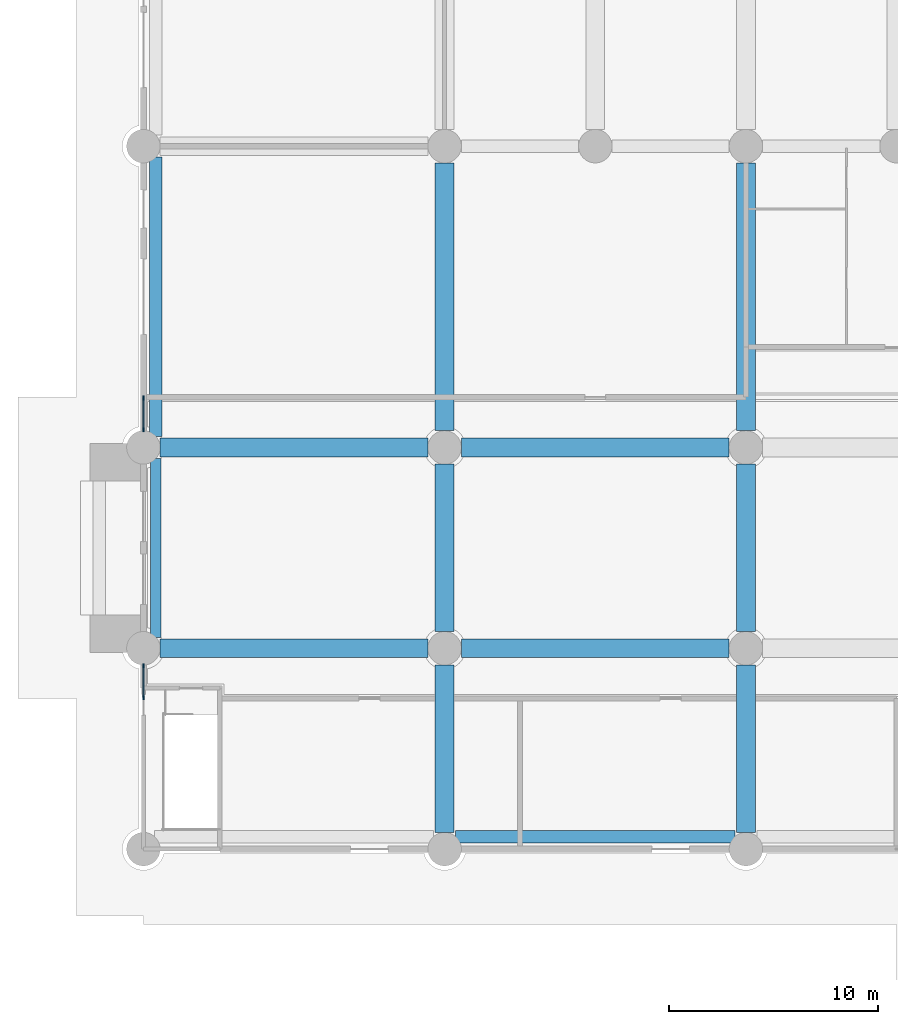
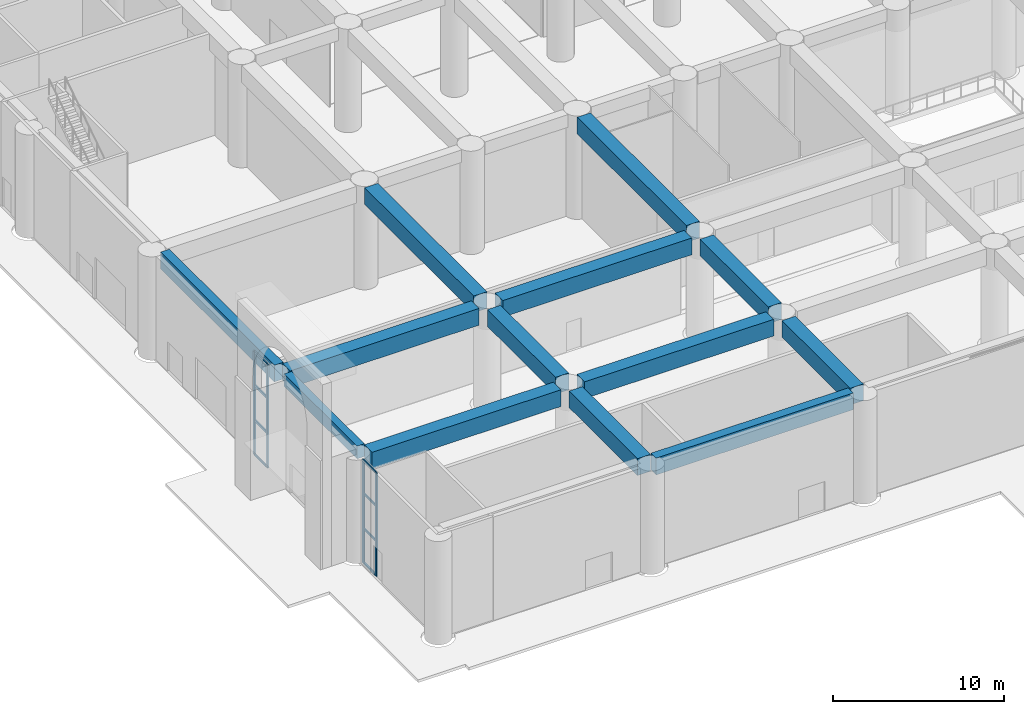
# One storey, part 2 of 32: 13 beams, 12 members, 2 elements without a shape of their own.
"""IFC4 building model written with IfcOpenShell, lengths in metres."""

from ifc_helpers import new_model, si_unit, direction, frame, origin, origin_2d, place, context, subcontext, project, spatial, rectangle, extrude, source, transform, mapped, material, layer, layer_set, material_profile, profile_set, type_object, element, aggregate, save


model = new_model("IFC4")

# Units and contexts
model_context = context("Model", 3, precision=1e-05, world=origin(), true_north=direction((0.0, 1.0)))
body_context = subcontext(model_context, "Body", "Model", "MODEL_VIEW")
ifc_project = project(units=[si_unit("LENGTHUNIT", "METRE"), si_unit("AREAUNIT", "SQUARE_METRE"), si_unit("VOLUMEUNIT", "CUBIC_METRE"), si_unit("PLANEANGLEUNIT", "RADIAN"), si_unit("MASSUNIT", "GRAM", prefix="KILO")], contexts=[model_context])

# Site, building, storey
site_placement = place(None, origin())
site = spatial("IfcSite", under=ifc_project, at=site_placement, CompositionType="ELEMENT")
building_placement = place(site_placement, origin())
building = spatial("IfcBuilding", under=site, at=building_placement, Name="Saffron Iwan Residences", CompositionType="ELEMENT")
storey_placement = place(building_placement, origin())
storey = spatial("IfcBuildingStorey", under=building, at=storey_placement, Name="L00", CompositionType="ELEMENT", Elevation=0.0)

# Beams
ifc_material_1 = material(Name="Concrete C50/60", Category="concrete")
ifc_material_profile_1 = material_profile(ifc_material_1, rectangle(XDim=0.5, YDim=0.89990234375, at=origin_2d()), Name="RC 500x900")
ifc_profile_set_1 = profile_set([ifc_material_profile_1], Name="Concrete C50/60")
beam_type_1 = type_object("IfcBeamType", Name="SPANDREL BEAM RC 500x900 C50/60 TOP 7400", PredefinedType="SPANDREL", material=ifc_profile_set_1)
shared_shape_1 = source(origin(), body_context, "Body", "SweptSolid", [
    extrude(rectangle(XDim=0.5, YDim=0.89990234375, at=origin_2d()), origin(), (0.0, 0.0, 1.0), 8.55224609375),
])
beam_placement = place(storey_placement, frame((0.60009765625, 10.123779296875, 6.949951171875), z_axis=(0.0, 1.0, 0.0), x_axis=(-1.0, 0.0, 0.0)))
element("IfcBeam", 1, at=beam_placement, inside=storey, type_object=beam_type_1, Name="Spandrel beam", PredefinedType="SPANDREL", context=body_context, shape_type="MappedRepresentation", body=[
    mapped(shared_shape_1, transform((0.0, 0.0, 0.0))),
])
ifc_material_profile_2 = material_profile(ifc_material_1, rectangle(XDim=0.60009765625, YDim=1.199951171875, at=origin_2d()), Name="RC 600x1200")
ifc_profile_set_2 = profile_set([ifc_material_profile_2], Name="Concrete C50/60")
beam_type_2 = type_object("IfcBeamType", Name="LINTEL BEAM RC 600x1200 C50/60 TOP 7400", PredefinedType="LINTEL", material=ifc_profile_set_2)
shared_shape_2 = source(origin(), body_context, "Body", "SweptSolid", [
    extrude(rectangle(XDim=0.60009765625, YDim=1.199951171875, at=origin_2d()), origin(), (0.0, 0.0, 1.0), 13.352294921875),
])
for number, where, z_axis, x_axis, name in (
    (2, (28.276123046875, 0.60009765625, 6.800048828125), (-1.0, 0.0, 0.0), (0.0, -1.0, 0.0), "Lintel beam over the iwan"),
    (3, (0.60009765625, 19.723876953125, 6.800048828125), (0.0, 1.0, 0.0), (-1.0, 0.0, 0.0), "Lintel beam over the iwan"),
):
    element("IfcBeam", number, at=place(storey_placement, frame(where, z_axis=z_axis, x_axis=x_axis)), inside=storey, type_object=beam_type_2, Name=name, PredefinedType="LINTEL", context=body_context, shape_type="MappedRepresentation", body=[
        mapped(shared_shape_2, transform((0.0, 0.0, 0.0))),
    ])
ifc_material_profile_3 = material_profile(ifc_material_1, rectangle(XDim=0.89990234375, YDim=1.199951171875, at=origin_2d()), Name="RC 900x1200")
ifc_profile_set_3 = profile_set([ifc_material_profile_3], Name="Concrete C50/60")
beam_type_3 = type_object("IfcBeamType", Name="BEAM RC 900x1200 C50/60 TOP 7400", PredefinedType="BEAM", material=ifc_profile_set_3)
shared_shape_3 = source(origin(), body_context, "Body", "SweptSolid", [
    extrude(rectangle(XDim=0.89990234375, YDim=1.199951171875, at=origin_2d()), origin(), (0.0, 0.0, 1.0), 8.0),
])
for number, where, z_axis, x_axis, name in (
    (4, (14.39990234375, 0.800048828125, 6.800048828125), (0.0, 1.0, 0.0), (-1.0, 0.0, 0.0), "Floor beam"),
    (5, (28.800048828125, 0.800048828125, 6.800048828125), (0.0, 1.0, 0.0), (-1.0, 0.0, 0.0), "Floor beam"),
    (6, (14.39990234375, 10.39990234375, 6.800048828125), (0.0, 1.0, 0.0), (-1.0, 0.0, 0.0), "Floor beam"),
    (7, (28.800048828125, 10.39990234375, 6.800048828125), (0.0, 1.0, 0.0), (-1.0, 0.0, 0.0), "Floor beam"),
):
    element("IfcBeam", number, at=place(storey_placement, frame(where, z_axis=z_axis, x_axis=x_axis)), inside=storey, type_object=beam_type_3, Name=name, PredefinedType="BEAM", context=body_context, shape_type="MappedRepresentation", body=[
        mapped(shared_shape_3, transform((0.0, 0.0, 0.0))),
    ])
shared_shape_4 = source(origin(), body_context, "Body", "SweptSolid", [
    extrude(rectangle(XDim=0.89990234375, YDim=1.199951171875, at=origin_2d()), origin(), (0.0, 0.0, 1.0), 12.800048828125),
])
for number, where, z_axis, x_axis, name in (
    (8, (0.800048828125, 9.60009765625, 6.800048828125), (1.0, 0.0, 0.0), (0.0, 1.0, 0.0), "Floor beam"),
    (9, (15.199951171875, 9.60009765625, 6.800048828125), (1.0, 0.0, 0.0), (0.0, 1.0, 0.0), "Floor beam"),
    (10, (0.800048828125, 19.199951171875, 6.800048828125), (1.0, 0.0, 0.0), (0.0, 1.0, 0.0), "Floor beam"),
    (11, (15.199951171875, 19.199951171875, 6.800048828125), (1.0, 0.0, 0.0), (0.0, 1.0, 0.0), "Floor beam"),
    (12, (14.39990234375, 20.0, 6.800048828125), (0.0, 1.0, 0.0), (-1.0, 0.0, 0.0), "Floor beam"),
    (13, (28.800048828125, 20.0, 6.800048828125), (0.0, 1.0, 0.0), (-1.0, 0.0, 0.0), "Floor beam"),
):
    element("IfcBeam", number, at=place(storey_placement, frame(where, z_axis=z_axis, x_axis=x_axis)), inside=storey, type_object=beam_type_3, Name=name, PredefinedType="BEAM", context=body_context, shape_type="MappedRepresentation", body=[
        mapped(shared_shape_4, transform((0.0, 0.0, 0.0))),
    ])

# Curtain wall, members
ifc_material_2 = material(Name="Clear glass, laminated double glazed", Category="glass")
ifc_layer = layer(ifc_material_2, 0.199951171875)
ifc_layer_set = layer_set([ifc_layer], Name="Clear glass, laminated double glazed")
curtain_wall_type = type_object("IfcCurtainWallType", Name="CW-A UNITISED FRONTAGE", PredefinedType="NOTDEFINED", material=ifc_layer_set)
curtain_wall_1_placement = place(storey_placement, origin())
curtain_wall_1 = element("IfcCurtainWall", 14, at=curtain_wall_1_placement, inside=storey, type_object=curtain_wall_type, Name="Frontage glazing 3.1", PredefinedType="NOTDEFINED")
ifc_material_3 = material(Name="Aluminium 6063-T6", Category="aluminium")
ifc_material_profile_4 = material_profile(ifc_material_3, rectangle(XDim=0.080078125, YDim=0.199951171875, at=origin_2d()), Name="CW-A MULLION 80 x 200")
ifc_profile_set_4 = profile_set([ifc_material_profile_4], Name="Aluminium 6063-T6")
member_type_1 = type_object("IfcMemberType", Name="CW-A MULLION 80 x 200", PredefinedType="MULLION", material=ifc_profile_set_4)
shared_shape_5 = source(origin(), body_context, "Body", "SweptSolid", [
    extrude(rectangle(XDim=0.080078125, YDim=0.199951171875, at=origin_2d()), origin(), (0.0, 0.0, 1.0), 7.39990234375),
])
member_1_placement = place(storey_placement, frame((0.0, 7.239990234375, 0.0), z_axis=(0.0, 0.0, 1.0), x_axis=(-1.0, 0.0, 0.0)))
member_1 = element("IfcMember", 15, at=member_1_placement, type_object=member_type_1, Name="CW-A mullion 1", PredefinedType="MULLION", context=body_context, shape_type="MappedRepresentation", body=[
    mapped(shared_shape_5, transform((0.0, 0.0, 0.0))),
])
member_2_placement = place(storey_placement, frame((0.0, 8.760009765625, 0.0), z_axis=(0.0, 0.0, 1.0), x_axis=(-1.0, 0.0, 0.0)))
member_2 = element("IfcMember", 16, at=member_2_placement, type_object=member_type_1, Name="CW-A mullion 2", PredefinedType="MULLION", context=body_context, shape_type="MappedRepresentation", body=[
    mapped(shared_shape_5, transform((0.0, 0.0, 0.0))),
])

curtain_wall_2_placement = place(storey_placement, origin())
curtain_wall_2 = element("IfcCurtainWall", 17, at=curtain_wall_2_placement, inside=storey, type_object=curtain_wall_type, Name="Frontage glazing 5.2", PredefinedType="NOTDEFINED")
member_3_placement = place(storey_placement, frame((0.0, 20.0400390625, 0.0), z_axis=(0.0, 0.0, 1.0), x_axis=(-1.0, 0.0, 0.0)))
member_3 = element("IfcMember", 18, at=member_3_placement, type_object=member_type_1, Name="CW-A mullion 1", PredefinedType="MULLION", context=body_context, shape_type="MappedRepresentation", body=[
    mapped(shared_shape_5, transform((0.0, 0.0, 0.0))),
])
member_4_placement = place(storey_placement, frame((0.0, 21.56005859375, 0.0), z_axis=(0.0, 0.0, 1.0), x_axis=(-1.0, 0.0, 0.0)))
member_4 = element("IfcMember", 19, at=member_4_placement, type_object=member_type_1, Name="CW-A mullion 2", PredefinedType="MULLION", context=body_context, shape_type="MappedRepresentation", body=[
    mapped(shared_shape_5, transform((0.0, 0.0, 0.0))),
])

# Member
ifc_material_profile_5 = material_profile(ifc_material_3, rectangle(XDim=0.080078125, YDim=0.159912109375, at=origin_2d()), Name="CW-A TRANSOM 80 x 160")
ifc_profile_set_5 = profile_set([ifc_material_profile_5], Name="Aluminium 6063-T6")
member_type_2 = type_object("IfcMemberType", Name="CW-A TRANSOM 80 x 160", PredefinedType="USERDEFINED", material=ifc_profile_set_5)
shared_shape_6 = source(origin(), body_context, "Body", "SweptSolid", [
    extrude(rectangle(XDim=0.080078125, YDim=0.159912109375, at=origin_2d()), origin(), (0.0, 0.0, 1.0), 1.43994140625),
])
member_5_placement = place(storey_placement, frame((0.0, 7.280029296875, 0.0400390625), z_axis=(0.0, 1.0, 0.0), x_axis=(-1.0, 0.0, 0.0)))
member_5 = element("IfcMember", 20, at=member_5_placement, type_object=member_type_2, Name="CW-A transom 1.1", ObjectType="TRANSOM", PredefinedType="USERDEFINED", context=body_context, shape_type="MappedRepresentation", body=[
    mapped(shared_shape_6, transform((0.0, 0.0, 0.0))),
])

member_6_placement = place(storey_placement, frame((0.0, 7.280029296875, 2.5), z_axis=(0.0, 1.0, 0.0), x_axis=(-1.0, 0.0, 0.0)))
member_6 = element("IfcMember", 21, at=member_6_placement, type_object=member_type_2, Name="CW-A transom 1.2", ObjectType="TRANSOM", PredefinedType="USERDEFINED", context=body_context, shape_type="MappedRepresentation", body=[
    mapped(shared_shape_6, transform((0.0, 0.0, 0.0))),
])

member_7_placement = place(storey_placement, frame((0.0, 7.280029296875, 5.0), z_axis=(0.0, 1.0, 0.0), x_axis=(-1.0, 0.0, 0.0)))
member_7 = element("IfcMember", 22, at=member_7_placement, type_object=member_type_2, Name="CW-A transom 1.3", ObjectType="TRANSOM", PredefinedType="USERDEFINED", context=body_context, shape_type="MappedRepresentation", body=[
    mapped(shared_shape_6, transform((0.0, 0.0, 0.0))),
])

member_8_placement = place(storey_placement, frame((0.0, 7.280029296875, 7.360107421875), z_axis=(0.0, 1.0, 0.0), x_axis=(-1.0, 0.0, 0.0)))
member_8 = element("IfcMember", 23, at=member_8_placement, type_object=member_type_2, Name="CW-A transom 1.4", ObjectType="TRANSOM", PredefinedType="USERDEFINED", context=body_context, shape_type="MappedRepresentation", body=[
    mapped(shared_shape_6, transform((0.0, 0.0, 0.0))),
])

aggregate(curtain_wall_1, [member_1, member_2, member_5, member_6, member_7, member_8])

member_9_placement = place(storey_placement, frame((0.0, 20.080078125, 0.0400390625), z_axis=(0.0, 1.0, 0.0), x_axis=(-1.0, 0.0, 0.0)))
member_9 = element("IfcMember", 24, at=member_9_placement, type_object=member_type_2, Name="CW-A transom 1.1", ObjectType="TRANSOM", PredefinedType="USERDEFINED", context=body_context, shape_type="MappedRepresentation", body=[
    mapped(shared_shape_6, transform((0.0, 0.0, 0.0))),
])

member_10_placement = place(storey_placement, frame((0.0, 20.080078125, 2.5), z_axis=(0.0, 1.0, 0.0), x_axis=(-1.0, 0.0, 0.0)))
member_10 = element("IfcMember", 25, at=member_10_placement, type_object=member_type_2, Name="CW-A transom 1.2", ObjectType="TRANSOM", PredefinedType="USERDEFINED", context=body_context, shape_type="MappedRepresentation", body=[
    mapped(shared_shape_6, transform((0.0, 0.0, 0.0))),
])

member_11_placement = place(storey_placement, frame((0.0, 20.080078125, 5.0), z_axis=(0.0, 1.0, 0.0), x_axis=(-1.0, 0.0, 0.0)))
member_11 = element("IfcMember", 26, at=member_11_placement, type_object=member_type_2, Name="CW-A transom 1.3", ObjectType="TRANSOM", PredefinedType="USERDEFINED", context=body_context, shape_type="MappedRepresentation", body=[
    mapped(shared_shape_6, transform((0.0, 0.0, 0.0))),
])

member_12_placement = place(storey_placement, frame((0.0, 20.080078125, 7.360107421875), z_axis=(0.0, 1.0, 0.0), x_axis=(-1.0, 0.0, 0.0)))
member_12 = element("IfcMember", 27, at=member_12_placement, type_object=member_type_2, Name="CW-A transom 1.4", ObjectType="TRANSOM", PredefinedType="USERDEFINED", context=body_context, shape_type="MappedRepresentation", body=[
    mapped(shared_shape_6, transform((0.0, 0.0, 0.0))),
])

aggregate(curtain_wall_2, [member_3, member_4, member_9, member_10, member_11, member_12])

save(model, "model.ifc")
